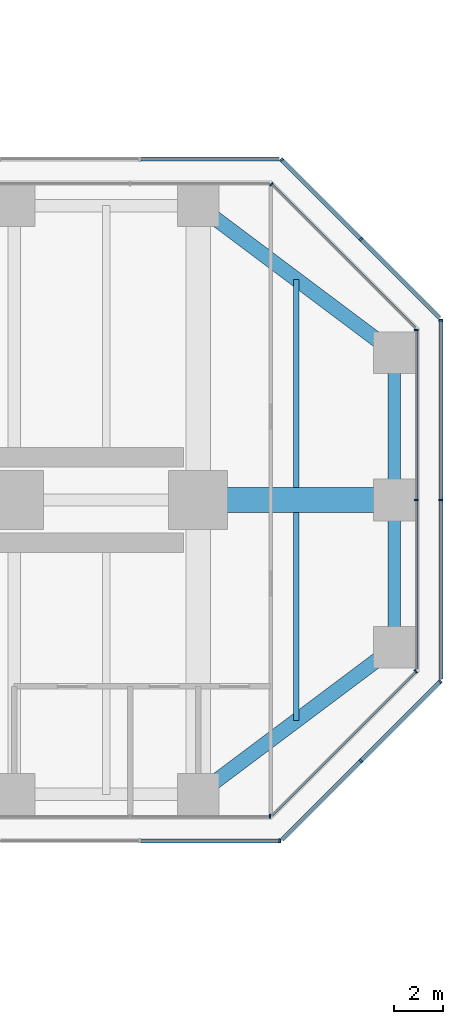
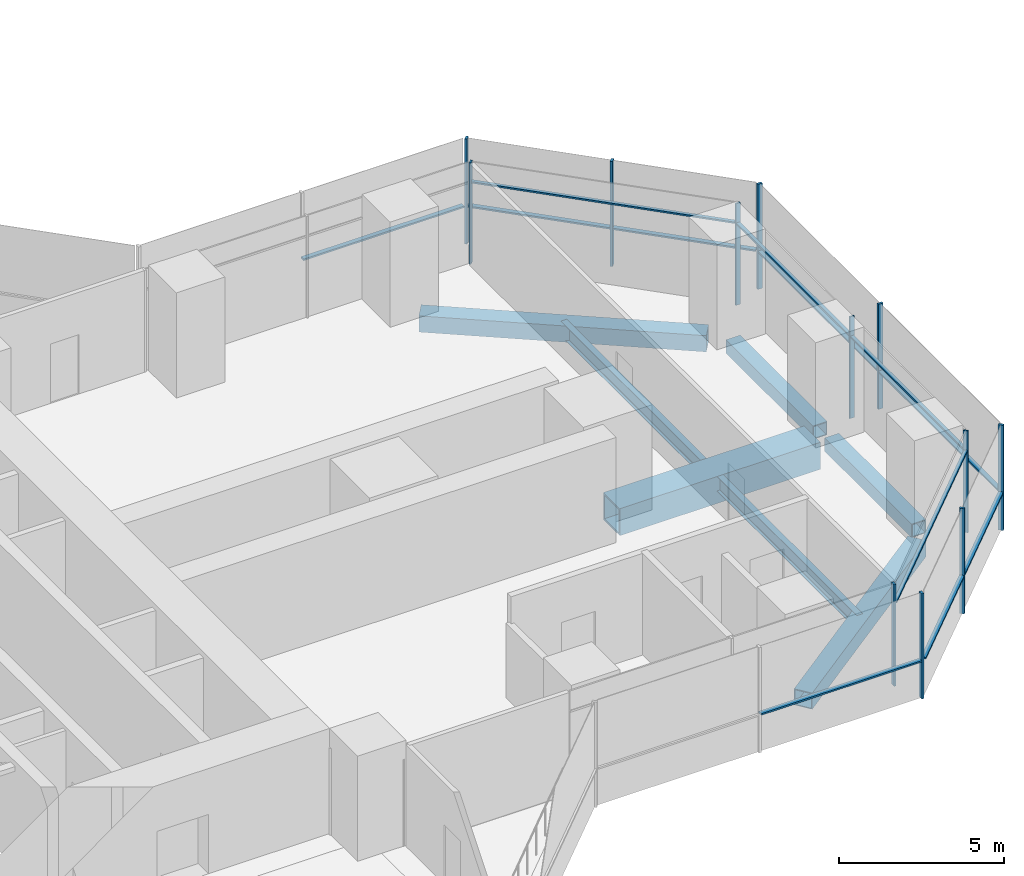
# One storey, part 12 of 22: 24 members, 7 beams, 9 elements without a shape of their own.
"""IFC4 building model written with IfcOpenShell, lengths in metres."""

import ifcopenshell
import ifcopenshell.guid

model = None  # the IFC model being written
_history = None  # IfcOwnerHistory: only IFC2X3 demands one
_inside = {}  # id of a spatial element -> (the spatial element, [elements in it])
_under = {}  # id of a project, library or spatial element -> (it, [spatial elements below it])
_declared = {}  # id of a project -> (the project, [libraries it declares])
_typed = {}  # id of a type object -> (the type object, [elements of that type])
_made_of = {}  # id of a material, layer set ... -> (it, [elements and type objects made of it])


def new_model(schema):
    """Start an empty IFC model of exactly this schema.

    Asked for "IFC4X3", IfcOpenShell would pick the latest addendum, in which some entities
    have other attributes; the version numbers below select the first issue.
    IFC2X3 requires an IfcOwnerHistory on every rooted entity: one is made here for all.
    """
    global model, _history
    if schema == "IFC4X3":
        model = ifcopenshell.file(schema_version=(4, 3, 0, 0))
    else:
        model = ifcopenshell.file(schema=schema)
    _inside.clear()
    _under.clear()
    _declared.clear()
    _typed.clear()
    _made_of.clear()
    _history = None
    if model.schema == "IFC2X3":
        org = make("IfcOrganization", Name="unknown")
        user = make(
            "IfcPersonAndOrganization",
            ThePerson=make("IfcPerson", FamilyName="unknown"),
            TheOrganization=org,
        )
        app = make(
            "IfcApplication",
            ApplicationDeveloper=org,
            Version="unknown",
            ApplicationFullName="unknown",
            ApplicationIdentifier="unknown",
        )
        _history = make(
            "IfcOwnerHistory",
            OwningUser=user,
            OwningApplication=app,
            ChangeAction="ADDED",
            CreationDate=0,
        )
    return model


def make(cls, **values):
    """One entity of the class cls with the attributes given. An attribute that is None is left unset."""
    return model.create_entity(
        cls, **{name: value for name, value in values.items() if value is not None}
    )


def rooted(cls, **values):
    """An entity with a GlobalId (a new one), such as an element, a storey or a relation."""
    return make(cls, GlobalId=ifcopenshell.guid.new(), OwnerHistory=_history, **values)


def si_unit(unit_type, name, prefix=None):
    """IfcSIUnit, for example si_unit("LENGTHUNIT", "METRE", prefix="MILLI")."""
    return make("IfcSIUnit", UnitType=unit_type, Prefix=prefix, Name=name)


def assignment(units):
    """IfcUnitAssignment: the units of a project."""
    return None if units is None else make("IfcUnitAssignment", Units=units)


def point(xyz):
    """IfcCartesianPoint."""
    return None if xyz is None else make("IfcCartesianPoint", Coordinates=xyz)


def direction(xyz):
    """IfcDirection."""
    return None if xyz is None else make("IfcDirection", DirectionRatios=xyz)


def frame(location, z_axis=None, x_axis=None):
    """IfcAxis2Placement3D, a coordinate frame: its origin and axes. An axis left out is left unset."""
    return make(
        "IfcAxis2Placement3D",
        Location=point(location),
        Axis=direction(z_axis),
        RefDirection=direction(x_axis),
    )


def frame_2d(location, x_axis=None):
    """IfcAxis2Placement2D, a coordinate frame in the plane: its origin and x axis."""
    return make(
        "IfcAxis2Placement2D", Location=point(location), RefDirection=direction(x_axis)
    )


def origin():
    """The frame at (0, 0, 0) with its axes left unset."""
    return frame((0.0, 0.0, 0.0))


def origin_2d():
    """The frame at (0, 0) in the plane with its x axis left unset."""
    return frame_2d((0.0, 0.0))


def place(relative_to, where):
    """IfcLocalPlacement: puts the frame where relative to a parent placement (None: the world)."""
    return make(
        "IfcLocalPlacement", PlacementRelTo=relative_to, RelativePlacement=where
    )


def context(
    kind, dimensions, precision=None, world=None, true_north=None, identifier=None
):
    """IfcGeometricRepresentationContext, for example the 3D "Model" context."""
    return make(
        "IfcGeometricRepresentationContext",
        ContextIdentifier=identifier,
        ContextType=kind,
        CoordinateSpaceDimension=dimensions,
        Precision=precision,
        WorldCoordinateSystem=world,
        TrueNorth=true_north,
    )


def subcontext(parent, identifier, kind, view, scale=None):
    """IfcGeometricRepresentationSubContext, for example "Body" below "Model"."""
    return make(
        "IfcGeometricRepresentationSubContext",
        ContextIdentifier=identifier,
        ContextType=kind,
        ParentContext=parent,
        TargetScale=scale,
        TargetView=view,
    )


def project(units=None, contexts=None):
    """IfcProject with its units and contexts."""
    return rooted(
        "IfcProject",
        Name="project",
        RepresentationContexts=contexts,
        UnitsInContext=assignment(units),
    )


def spatial(cls, under=None, at=None, **own):
    """A site, building, storey or space (cls), placed at a placement, below another one or the project."""
    s = rooted(cls, ObjectPlacement=at, **own)
    if under is not None:
        _under.setdefault(under.id(), (under, []))[1].append(s)
    return s


def profile(cls, at=None, kind="AREA", **sizes):
    """A parametric profile (cls). Its sizes go by their IFC names, for example OverallWidth=200.0."""
    return make(cls, ProfileType=kind, Position=at, **sizes)


def rectangle(**sizes):
    """IfcRectangleProfileDef."""
    return profile("IfcRectangleProfileDef", **sizes)


def hollow_rectangle(**sizes):
    """IfcRectangleHollowProfileDef."""
    return profile("IfcRectangleHollowProfileDef", **sizes)


def i_section(**sizes):
    """IfcIShapeProfileDef."""
    return profile("IfcIShapeProfileDef", **sizes)


def extrude(swept, where, along, depth):
    """IfcExtrudedAreaSolid: the profile swept, set in the frame where, extruded along a direction by depth."""
    return make(
        "IfcExtrudedAreaSolid",
        SweptArea=swept,
        Position=where,
        ExtrudedDirection=direction(along),
        Depth=depth,
    )


def shape(context_of_items, identifier, shape_type, items):
    """IfcShapeRepresentation: the items that make up one representation, for example the "Body"."""
    return make(
        "IfcShapeRepresentation",
        ContextOfItems=context_of_items,
        RepresentationIdentifier=identifier,
        RepresentationType=shape_type,
        Items=items,
    )


def material(Name=None, Category=None):
    """IfcMaterial."""
    return make("IfcMaterial", Name=Name, Category=Category)


def material_profile(
    of_material, cross_section, Name=None, Category=None, Priority=None
):
    """IfcMaterialProfile: a cross section and its material."""
    return make(
        "IfcMaterialProfile",
        Name=Name,
        Material=of_material,
        Profile=cross_section,
        Priority=Priority,
        Category=Category,
    )


def profile_set(profiles, Name=None, composite=None):
    """IfcMaterialProfileSet."""
    return make(
        "IfcMaterialProfileSet",
        Name=Name,
        MaterialProfiles=profiles,
        CompositeProfile=composite,
    )


def made_of(thing, what):
    """Note that an element or type object is made of a material, layer set ...; save() writes the relation."""
    if what is not None:
        _made_of.setdefault(what.id(), (what, []))[1].append(thing)
    return thing


def type_object(cls, material=None, **own):
    """A type object (cls), such as IfcWallType, which elements share."""
    return made_of(rooted(cls, **own), material)


def element(
    cls,
    number,
    at=None,
    inside=None,
    cuts=None,
    type_object=None,
    material=None,
    context=None,
    identifier="Body",
    shape_type=None,
    held_by="IfcProductDefinitionShape",
    body=None,
    shapes=None,
    **own,
):
    """One element of the class cls, such as IfcWall. Its Tag is "e" and its number.

    at: its placement. inside: the storey or other place that contains it. cuts: it is an
    opening in that element (IfcRelVoidsElement). A single representation is given by context,
    identifier, shape_type and body (its items); several are given by shapes. held_by: the class
    of the entity that holds the representations. save() writes the other relations.
    """
    e = rooted(cls, Tag="e%d" % number, ObjectPlacement=at, **own)
    if body is not None:
        shapes = [shape(context, identifier, shape_type, body)]
    if shapes is not None:
        e.Representation = make(held_by, Representations=shapes)
    if inside is not None:
        _inside.setdefault(inside.id(), (inside, []))[1].append(e)
    if cuts is not None:
        rooted(
            "IfcRelVoidsElement", RelatingBuildingElement=cuts, RelatedOpeningElement=e
        )
    if type_object is not None:
        _typed.setdefault(type_object.id(), (type_object, []))[1].append(e)
    return made_of(e, material)


def aggregate(whole, parts):
    """IfcRelAggregates: a whole, such as a stair, and the parts it consists of."""
    return rooted("IfcRelAggregates", RelatingObject=whole, RelatedObjects=parts)


def save(model, path):
    """Write the relations noted so far, then the file.

    IfcRelAggregates (storeys below a building ...), IfcRelContainedInSpatialStructure (elements
    in a storey), IfcRelDefinesByType, IfcRelAssociatesMaterial and IfcRelDeclares: one each for
    every whole, place, type object, material and project.
    """
    for whole, parts in _under.values():
        aggregate(whole, parts)
    for where, things in _inside.values():
        rooted(
            "IfcRelContainedInSpatialStructure",
            RelatedElements=things,
            RelatingStructure=where,
        )
    for kind, things in _typed.values():
        rooted("IfcRelDefinesByType", RelatedObjects=things, RelatingType=kind)
    for what, things in _made_of.values():
        rooted("IfcRelAssociatesMaterial", RelatedObjects=things, RelatingMaterial=what)
    for by, libraries in _declared.values():
        rooted("IfcRelDeclares", RelatingContext=by, RelatedDefinitions=libraries)
    model.write(path)


model = new_model("IFC4")

# Units and contexts
model_context = context("Model", 3, precision=1e-05, world=origin(), true_north=direction((0.0, 1.0)))
body_context = subcontext(model_context, "Body", "Model", "MODEL_VIEW")
ifc_project = project(units=[si_unit("LENGTHUNIT", "METRE"), si_unit("AREAUNIT", "SQUARE_METRE"), si_unit("VOLUMEUNIT", "CUBIC_METRE"), si_unit("PLANEANGLEUNIT", "RADIAN"), si_unit("MASSUNIT", "GRAM", prefix="KILO")], contexts=[model_context])

# Site, building, storey
site_placement = place(None, origin())
site = spatial("IfcSite", under=ifc_project, at=site_placement, CompositionType="ELEMENT")
building_placement = place(site_placement, origin())
building = spatial("IfcBuilding", under=site, at=building_placement, Name="Mizan Broadcast Tower", CompositionType="ELEMENT")
storey_placement = place(building_placement, frame((0.0, 0.0, 47.39990234375)))
storey = spatial("IfcBuildingStorey", under=building, at=storey_placement, Name="L08", CompositionType="ELEMENT", Elevation=47.39990234375)

# Beams
ifc_material_1 = material(Name="Steel S355", Category="steel")
ifc_material_profile_1 = material_profile(ifc_material_1, hollow_rectangle(XDim=0.5, YDim=0.5, WallThickness=0.030029296875, at=origin_2d()), Name="BOX 500x500x30")
ifc_profile_set_1 = profile_set([ifc_material_profile_1], Name="Steel S355")
beam_type_1 = type_object("IfcBeamType", Name="EDGE BEAM BOX 500x500x30", PredefinedType="SPANDREL", material=ifc_profile_set_1)
for number, where, z_axis, x_axis, name in (
    (1, (35.0, -5.639892578125, -0.3798828125), (0.0, 1.0, 0.0), (-1.0, 0.0, 0.0), "Edge beam BOX 500x500x30 L08 east arm"),
    (2, (35.0, 5.639892578125, -0.3798828125), (0.0, -1.0, 0.0), (1.0, 0.0, 0.0), "Edge beam BOX 500x500x30 L08 east arm"),
):
    element("IfcBeam", number, at=place(storey_placement, frame(where, z_axis=z_axis, x_axis=x_axis)), inside=storey, type_object=beam_type_1, Name=name, PredefinedType="SPANDREL", context=body_context, shape_type="SweptSolid", body=[
        extrude(hollow_rectangle(XDim=0.5, YDim=0.5, WallThickness=0.030029296875, at=origin_2d()), origin(), (0.0, 0.0, 1.0), 5.27978515625),
    ])
ifc_material_2 = material(Name="Steel S355", Category="steel")
ifc_material_profile_2 = material_profile(ifc_material_2, hollow_rectangle(XDim=0.60009765625, YDim=0.60009765625, WallThickness=0.030029296875, at=origin_2d()), Name="BOX 600x600x30")
ifc_profile_set_2 = profile_set([ifc_material_profile_2], Name="Steel S355")
beam_type_2 = type_object("IfcBeamType", Name="EDGE BEAM BOX 600x600x30", PredefinedType="SPANDREL", material=ifc_profile_set_2)
for number, where, z_axis, x_axis, name in (
    (3, (27.47998046875, -11.639892578125, -0.429931640625), (0.800013316712, 0.599982243973, 0.0), (-0.599982243973, 0.800013316712, 0.0), "Edge beam BOX 600x600x30 L08 east arm"),
    (4, (27.47998046875, 11.639892578125, -0.429931640625), (0.800013316712, -0.599982243973, 0.0), (0.599982243973, 0.800013316712, 0.0), "Edge beam BOX 600x600x30 L08 east arm"),
):
    element("IfcBeam", number, at=place(storey_placement, frame(where, z_axis=z_axis, x_axis=x_axis)), inside=storey, type_object=beam_type_2, Name=name, PredefinedType="SPANDREL", context=body_context, shape_type="SweptSolid", body=[
        extrude(hollow_rectangle(XDim=0.60009765625, YDim=0.60009765625, WallThickness=0.030029296875, at=origin_2d()), origin(), (0.0, 0.0, 1.0), 8.7998046875),
    ])
ifc_material_3 = material(Name="Steel S460", Category="steel")
ifc_material_profile_3 = material_profile(ifc_material_3, hollow_rectangle(XDim=1.0, YDim=1.0, WallThickness=0.06005859375, at=origin_2d()), Name="BOX 1000x1000x60")
ifc_profile_set_3 = profile_set([ifc_material_profile_3], Name="Steel S460")
beam_type_3 = type_object("IfcBeamType", Name="GIRDER BOX 1000x1000x60", PredefinedType="BEAM", material=ifc_profile_set_3)
beam_placement = place(storey_placement, frame((27.47998046875, 0.0, -0.6298828125), z_axis=(1.0, 0.0, 0.0), x_axis=(0.0, 1.0, 0.0)))
element("IfcBeam", 5, at=beam_placement, inside=storey, type_object=beam_type_3, Name="Girder BOX 1000x1000x60 L08 east arm", PredefinedType="BEAM", context=body_context, shape_type="SweptSolid", body=[
    extrude(hollow_rectangle(XDim=1.0, YDim=1.0, WallThickness=0.06005859375, at=origin_2d()), origin(), (0.0, 0.0, 1.0), 7.0400390625),
])

# Curtain wall, member
ifc_material_4 = material(Name="Aluminium framed glazing", Category="aluminium")
curtain_wall_type_1 = type_object("IfcCurtainWallType", Name="INNER SKIN LOW ZONE", PredefinedType="USERDEFINED", material=ifc_material_4)
curtain_wall_1_placement = place(storey_placement, origin())
curtain_wall_1 = element("IfcCurtainWall", 6, at=curtain_wall_1_placement, inside=storey, type_object=curtain_wall_type_1, Name="Inner skin low zone L08 E side", ObjectType="INNER SKIN LOW ZONE", PredefinedType="USERDEFINED")
ifc_material_5 = material(Name="Aluminium, pale anodised", Category="aluminium")
ifc_material_profile_4 = material_profile(ifc_material_5, rectangle(XDim=0.159912109375, YDim=0.06005859375, at=origin_2d()), Name="MULLION 160x60")
ifc_profile_set_4 = profile_set([ifc_material_profile_4], Name="Aluminium, pale anodised")
member_type_1 = type_object("IfcMemberType", Name="INNER SKIN MULLION 60x160", PredefinedType="MULLION", material=ifc_profile_set_4)
member_1_placement = place(storey_placement, frame((29.928466796875, -12.89990234375, 0.0), z_axis=(0.0, 0.0, 1.0), x_axis=(0.0, 1.0, 0.0)))
member_1 = element("IfcMember", 7, at=member_1_placement, type_object=member_type_1, Name="Inner skin low zone L08 E side mullion 3", PredefinedType="MULLION", context=body_context, shape_type="SweptSolid", body=[
    extrude(rectangle(XDim=0.159912109375, YDim=0.06005859375, at=origin_2d()), origin(), (0.0, 0.0, 1.0), 3.77001953125),
])
aggregate(curtain_wall_1, [member_1])

curtain_wall_2_placement = place(storey_placement, origin())
curtain_wall_2 = element("IfcCurtainWall", 8, at=curtain_wall_2_placement, inside=storey, type_object=curtain_wall_type_1, Name="Inner skin low zone L08 E chamfer", ObjectType="INNER SKIN LOW ZONE", PredefinedType="USERDEFINED")
member_2_placement = place(storey_placement, frame((35.87890625, -6.979736328125, 0.0), z_axis=(0.0, 0.0, 1.0), x_axis=(-0.707106781187, 0.707106781187, 0.0)))
member_2 = element("IfcMember", 9, at=member_2_placement, type_object=member_type_1, Name="Inner skin low zone L08 E chamfer mullion 2", PredefinedType="MULLION", context=body_context, shape_type="SweptSolid", body=[
    extrude(rectangle(XDim=0.159912109375, YDim=0.06005859375, at=origin_2d()), origin(), (0.0, 0.0, 1.0), 3.77001953125),
])

# Curtain wall, members
curtain_wall_3_placement = place(storey_placement, origin())
curtain_wall_3 = element("IfcCurtainWall", 10, at=curtain_wall_3_placement, inside=storey, type_object=curtain_wall_type_1, Name="Inner skin low zone L08 E end", ObjectType="INNER SKIN LOW ZONE", PredefinedType="USERDEFINED")
member_3_placement = place(storey_placement, frame((35.89990234375, 0.0, 0.0), z_axis=(0.0, 0.0, 1.0), x_axis=(-1.0, 0.0, 0.0)))
member_3 = element("IfcMember", 11, at=member_3_placement, type_object=member_type_1, Name="Inner skin low zone L08 E end mullion 2", PredefinedType="MULLION", context=body_context, shape_type="SweptSolid", body=[
    extrude(rectangle(XDim=0.159912109375, YDim=0.06005859375, at=origin_2d()), origin(), (0.0, 0.0, 1.0), 3.77001953125),
])
member_4_placement = place(storey_placement, frame((35.89990234375, 6.928466796875, 0.0), z_axis=(0.0, 0.0, 1.0), x_axis=(-1.0, 0.0, 0.0)))
member_4 = element("IfcMember", 12, at=member_4_placement, type_object=member_type_1, Name="Inner skin low zone L08 E end mullion 3", PredefinedType="MULLION", context=body_context, shape_type="SweptSolid", body=[
    extrude(rectangle(XDim=0.159912109375, YDim=0.06005859375, at=origin_2d()), origin(), (0.0, 0.0, 1.0), 3.77001953125),
])

# Curtain wall, member
curtain_wall_4_placement = place(storey_placement, origin())
curtain_wall_4 = element("IfcCurtainWall", 13, at=curtain_wall_4_placement, inside=storey, type_object=curtain_wall_type_1, Name="Inner skin low zone L08 E chamfer", ObjectType="INNER SKIN LOW ZONE", PredefinedType="USERDEFINED")
member_5_placement = place(storey_placement, frame((29.979736328125, 12.87890625, 0.0), z_axis=(0.0, 0.0, 1.0), x_axis=(-0.707106781187, -0.707106781187, 0.0)))
member_5 = element("IfcMember", 14, at=member_5_placement, type_object=member_type_1, Name="Inner skin low zone L08 E chamfer mullion 2", PredefinedType="MULLION", context=body_context, shape_type="SweptSolid", body=[
    extrude(rectangle(XDim=0.159912109375, YDim=0.06005859375, at=origin_2d()), origin(), (0.0, 0.0, 1.0), 3.77001953125),
])

# Member
ifc_material_6 = material(Name="Aluminium, pale anodised", Category="aluminium")
ifc_material_profile_5 = material_profile(ifc_material_6, rectangle(XDim=0.1201171875, YDim=0.06005859375, at=origin_2d()), Name="TRANSOM 120x60")
ifc_profile_set_5 = profile_set([ifc_material_profile_5], Name="Aluminium, pale anodised")
member_type_2 = type_object("IfcMemberType", Name="INNER SKIN TRANSOM 60x120", PredefinedType="USERDEFINED", material=ifc_profile_set_5)
member_6_placement = place(storey_placement, frame((30.0009765625, -12.857666015625, 3.030029296875), z_axis=(0.707106781187, 0.707106781187, 0.0), x_axis=(-0.707106781187, 0.707106781187, 0.0)))
member_6 = element("IfcMember", 15, at=member_6_placement, type_object=member_type_2, Name="Inner skin low zone L08 E chamfer transom 1.1", ObjectType="TRANSOM", PredefinedType="USERDEFINED", context=body_context, shape_type="SweptSolid", body=[
    extrude(rectangle(XDim=0.1201171875, YDim=0.06005859375, at=origin_2d()), origin(), (0.0, 0.0, 1.0), 8.28271484375),
])

aggregate(curtain_wall_2, [member_2, member_6])

member_7_placement = place(storey_placement, frame((35.89990234375, -6.898681640625, 3.030029296875), z_axis=(0.0, 1.0, 0.0), x_axis=(-1.0, 0.0, 0.0)))
member_7 = element("IfcMember", 16, at=member_7_placement, type_object=member_type_2, Name="Inner skin low zone L08 E end transom 1.1", ObjectType="TRANSOM", PredefinedType="USERDEFINED", context=body_context, shape_type="SweptSolid", body=[
    extrude(rectangle(XDim=0.1201171875, YDim=0.06005859375, at=origin_2d()), origin(), (0.0, 0.0, 1.0), 6.86865234375),
])

member_8_placement = place(storey_placement, frame((35.89990234375, 0.030029296875, 3.030029296875), z_axis=(0.0, 1.0, 0.0), x_axis=(-1.0, 0.0, 0.0)))
member_8 = element("IfcMember", 17, at=member_8_placement, type_object=member_type_2, Name="Inner skin low zone L08 E end transom 2.1", ObjectType="TRANSOM", PredefinedType="USERDEFINED", context=body_context, shape_type="SweptSolid", body=[
    extrude(rectangle(XDim=0.1201171875, YDim=0.06005859375, at=origin_2d()), origin(), (0.0, 0.0, 1.0), 6.86865234375),
])

aggregate(curtain_wall_3, [member_3, member_4, member_7, member_8])

member_9_placement = place(storey_placement, frame((35.857666015625, 7.0009765625, 3.030029296875), z_axis=(-0.707106781187, 0.707106781187, 0.0), x_axis=(-0.707106781187, -0.707106781187, 0.0)))
member_9 = element("IfcMember", 18, at=member_9_placement, type_object=member_type_2, Name="Inner skin low zone L08 E chamfer transom 1.1", ObjectType="TRANSOM", PredefinedType="USERDEFINED", context=body_context, shape_type="SweptSolid", body=[
    extrude(rectangle(XDim=0.1201171875, YDim=0.06005859375, at=origin_2d()), origin(), (0.0, 0.0, 1.0), 8.28271484375),
])

aggregate(curtain_wall_4, [member_5, member_9])

# Curtain wall, members
ifc_material_7 = material(Name="Aluminium framed glazing", Category="aluminium")
curtain_wall_type_2 = type_object("IfcCurtainWallType", Name="OUTER SKIN", PredefinedType="USERDEFINED", material=ifc_material_7)
curtain_wall_5_placement = place(storey_placement, origin())
curtain_wall_5 = element("IfcCurtainWall", 19, at=curtain_wall_5_placement, inside=storey, type_object=curtain_wall_type_2, Name="Outer skin L08 E chamfer", ObjectType="OUTER SKIN", PredefinedType="USERDEFINED")
ifc_material_8 = material(Name="Aluminium, pale anodised", Category="aluminium")
ifc_material_profile_6 = material_profile(ifc_material_8, rectangle(XDim=0.159912109375, YDim=0.080078125, at=origin_2d()), Name="MULLION 160x80")
ifc_profile_set_6 = profile_set([ifc_material_profile_6], Name="Aluminium, pale anodised")
member_type_3 = type_object("IfcMemberType", Name="OUTER SKIN MULLION 80x160", PredefinedType="MULLION", material=ifc_profile_set_6)
member_10_placement = place(storey_placement, frame((33.636474609375, -10.636474609375, 0.0), z_axis=(0.0, 0.0, 1.0), x_axis=(-0.707106781187, 0.707106781187, 0.0)))
member_10 = element("IfcMember", 20, at=member_10_placement, type_object=member_type_3, Name="Outer skin L08 E chamfer mullion 2", PredefinedType="MULLION", context=body_context, shape_type="SweptSolid", body=[
    extrude(rectangle(XDim=0.159912109375, YDim=0.080078125, at=origin_2d()), origin(), (0.0, 0.0, 1.0), 3.900146484375),
])
member_11_placement = place(storey_placement, frame((36.871826171875, -7.401123046875, 0.0), z_axis=(0.0, 0.0, 1.0), x_axis=(-0.707106781187, 0.707106781187, 0.0)))
member_11 = element("IfcMember", 21, at=member_11_placement, type_object=member_type_3, Name="Outer skin L08 E chamfer mullion 3", PredefinedType="MULLION", context=body_context, shape_type="SweptSolid", body=[
    extrude(rectangle(XDim=0.159912109375, YDim=0.080078125, at=origin_2d()), origin(), (0.0, 0.0, 1.0), 3.900146484375),
])

curtain_wall_6_placement = place(storey_placement, origin())
curtain_wall_6 = element("IfcCurtainWall", 22, at=curtain_wall_6_placement, inside=storey, type_object=curtain_wall_type_2, Name="Outer skin L08 E end", ObjectType="OUTER SKIN", PredefinedType="USERDEFINED")
member_12_placement = place(storey_placement, frame((36.89990234375, 0.0, 0.0), z_axis=(0.0, 0.0, 1.0), x_axis=(-1.0, 0.0, 0.0)))
member_12 = element("IfcMember", 23, at=member_12_placement, type_object=member_type_3, Name="Outer skin L08 E end mullion 2", PredefinedType="MULLION", context=body_context, shape_type="SweptSolid", body=[
    extrude(rectangle(XDim=0.159912109375, YDim=0.080078125, at=origin_2d()), origin(), (0.0, 0.0, 1.0), 3.900146484375),
])
member_13_placement = place(storey_placement, frame((36.89990234375, 7.332763671875, 0.0), z_axis=(0.0, 0.0, 1.0), x_axis=(-1.0, 0.0, 0.0)))
member_13 = element("IfcMember", 24, at=member_13_placement, type_object=member_type_3, Name="Outer skin L08 E end mullion 3", PredefinedType="MULLION", context=body_context, shape_type="SweptSolid", body=[
    extrude(rectangle(XDim=0.159912109375, YDim=0.080078125, at=origin_2d()), origin(), (0.0, 0.0, 1.0), 3.900146484375),
])

curtain_wall_7_placement = place(storey_placement, origin())
curtain_wall_7 = element("IfcCurtainWall", 25, at=curtain_wall_7_placement, inside=storey, type_object=curtain_wall_type_2, Name="Outer skin L08 E chamfer", ObjectType="OUTER SKIN", PredefinedType="USERDEFINED")
member_14_placement = place(storey_placement, frame((33.636474609375, 10.636474609375, 0.0), z_axis=(0.0, 0.0, 1.0), x_axis=(-0.707106781187, -0.707106781187, 0.0)))
member_14 = element("IfcMember", 26, at=member_14_placement, type_object=member_type_3, Name="Outer skin L08 E chamfer mullion 2", PredefinedType="MULLION", context=body_context, shape_type="SweptSolid", body=[
    extrude(rectangle(XDim=0.159912109375, YDim=0.080078125, at=origin_2d()), origin(), (0.0, 0.0, 1.0), 3.900146484375),
])
member_15_placement = place(storey_placement, frame((30.401123046875, 13.871826171875, 0.0), z_axis=(0.0, 0.0, 1.0), x_axis=(-0.707106781187, -0.707106781187, 0.0)))
member_15 = element("IfcMember", 27, at=member_15_placement, type_object=member_type_3, Name="Outer skin L08 E chamfer mullion 3", PredefinedType="MULLION", context=body_context, shape_type="SweptSolid", body=[
    extrude(rectangle(XDim=0.159912109375, YDim=0.080078125, at=origin_2d()), origin(), (0.0, 0.0, 1.0), 3.900146484375),
])

# Curtain wall, member
curtain_wall_8_placement = place(storey_placement, origin())
curtain_wall_8 = element("IfcCurtainWall", 28, at=curtain_wall_8_placement, inside=storey, type_object=curtain_wall_type_2, Name="Outer skin L08 E side", ObjectType="OUTER SKIN", PredefinedType="USERDEFINED")
member_16_placement = place(storey_placement, frame((30.332763671875, -13.89990234375, 0.0), z_axis=(0.0, 0.0, 1.0), x_axis=(0.0, 1.0, 0.0)))
member_16 = element("IfcMember", 29, at=member_16_placement, type_object=member_type_3, Name="Outer skin L08 E side mullion 3", PredefinedType="MULLION", context=body_context, shape_type="SweptSolid", body=[
    extrude(rectangle(XDim=0.159912109375, YDim=0.080078125, at=origin_2d()), origin(), (0.0, 0.0, 1.0), 3.900146484375),
])

# Member
ifc_material_9 = material(Name="Aluminium, pale anodised", Category="aluminium")
ifc_material_profile_7 = material_profile(ifc_material_9, rectangle(XDim=0.159912109375, YDim=0.06005859375, at=origin_2d()), Name="TRANSOM 160x60")
ifc_profile_set_7 = profile_set([ifc_material_profile_7], Name="Aluminium, pale anodised")
member_type_4 = type_object("IfcMemberType", Name="OUTER SKIN TRANSOM 60x160", PredefinedType="USERDEFINED", material=ifc_profile_set_7)
member_17_placement = place(storey_placement, frame((30.429443359375, -13.843505859375, 1.400146484375), z_axis=(0.707106781187, 0.707106781187, 0.0), x_axis=(-0.707106781187, 0.707106781187, 0.0)))
member_17 = element("IfcMember", 30, at=member_17_placement, type_object=member_type_4, Name="Outer skin L08 E chamfer transom 1.1", ObjectType="TRANSOM", PredefinedType="USERDEFINED", context=body_context, shape_type="SweptSolid", body=[
    extrude(rectangle(XDim=0.159912109375, YDim=0.06005859375, at=origin_2d()), origin(), (0.0, 0.0, 1.0), 4.495361328125),
])

member_18_placement = place(storey_placement, frame((33.664794921875, -10.608154296875, 1.400146484375), z_axis=(0.707106781187, 0.707106781187, 0.0), x_axis=(-0.707106781187, 0.707106781187, 0.0)))
member_18 = element("IfcMember", 31, at=member_18_placement, type_object=member_type_4, Name="Outer skin L08 E chamfer transom 2.1", ObjectType="TRANSOM", PredefinedType="USERDEFINED", context=body_context, shape_type="SweptSolid", body=[
    extrude(rectangle(XDim=0.159912109375, YDim=0.06005859375, at=origin_2d()), origin(), (0.0, 0.0, 1.0), 4.495361328125),
])

aggregate(curtain_wall_5, [member_10, member_11, member_17, member_18])

member_19_placement = place(storey_placement, frame((36.89990234375, -7.292724609375, 1.400146484375), z_axis=(0.0, 1.0, 0.0), x_axis=(-1.0, 0.0, 0.0)))
member_19 = element("IfcMember", 32, at=member_19_placement, type_object=member_type_4, Name="Outer skin L08 E end transom 1.1", ObjectType="TRANSOM", PredefinedType="USERDEFINED", context=body_context, shape_type="SweptSolid", body=[
    extrude(rectangle(XDim=0.159912109375, YDim=0.06005859375, at=origin_2d()), origin(), (0.0, 0.0, 1.0), 7.252685546875),
])

member_20_placement = place(storey_placement, frame((36.89990234375, 0.0400390625, 1.400146484375), z_axis=(0.0, 1.0, 0.0), x_axis=(-1.0, 0.0, 0.0)))
member_20 = element("IfcMember", 33, at=member_20_placement, type_object=member_type_4, Name="Outer skin L08 E end transom 2.1", ObjectType="TRANSOM", PredefinedType="USERDEFINED", context=body_context, shape_type="SweptSolid", body=[
    extrude(rectangle(XDim=0.159912109375, YDim=0.06005859375, at=origin_2d()), origin(), (0.0, 0.0, 1.0), 7.252685546875),
])

aggregate(curtain_wall_6, [member_12, member_13, member_19, member_20])

member_21_placement = place(storey_placement, frame((36.843505859375, 7.429443359375, 1.400146484375), z_axis=(-0.707106781187, 0.707106781187, 0.0), x_axis=(-0.707106781187, -0.707106781187, 0.0)))
member_21 = element("IfcMember", 34, at=member_21_placement, type_object=member_type_4, Name="Outer skin L08 E chamfer transom 1.1", ObjectType="TRANSOM", PredefinedType="USERDEFINED", context=body_context, shape_type="SweptSolid", body=[
    extrude(rectangle(XDim=0.159912109375, YDim=0.06005859375, at=origin_2d()), origin(), (0.0, 0.0, 1.0), 4.495361328125),
])

member_22_placement = place(storey_placement, frame((33.608154296875, 10.664794921875, 1.400146484375), z_axis=(-0.707106781187, 0.707106781187, 0.0), x_axis=(-0.707106781187, -0.707106781187, 0.0)))
member_22 = element("IfcMember", 35, at=member_22_placement, type_object=member_type_4, Name="Outer skin L08 E chamfer transom 2.1", ObjectType="TRANSOM", PredefinedType="USERDEFINED", context=body_context, shape_type="SweptSolid", body=[
    extrude(rectangle(XDim=0.159912109375, YDim=0.06005859375, at=origin_2d()), origin(), (0.0, 0.0, 1.0), 4.495361328125),
])

aggregate(curtain_wall_7, [member_14, member_15, member_21, member_22])

# Curtain wall, member
curtain_wall_9_placement = place(storey_placement, origin())
curtain_wall_9 = element("IfcCurtainWall", 36, at=curtain_wall_9_placement, inside=storey, type_object=curtain_wall_type_2, Name="Outer skin L08 E side", ObjectType="OUTER SKIN", PredefinedType="USERDEFINED")
member_23_placement = place(storey_placement, frame((30.292724609375, 13.89990234375, 1.400146484375), z_axis=(-1.0, 0.0, 0.0), x_axis=(0.0, -1.0, 0.0)))
member_23 = element("IfcMember", 37, at=member_23_placement, type_object=member_type_4, Name="Outer skin L08 E side transom 1.1", ObjectType="TRANSOM", PredefinedType="USERDEFINED", context=body_context, shape_type="SweptSolid", body=[
    extrude(rectangle(XDim=0.159912109375, YDim=0.06005859375, at=origin_2d()), origin(), (0.0, 0.0, 1.0), 5.6298828125),
])
aggregate(curtain_wall_9, [member_23])

# Member
member_24_placement = place(storey_placement, frame((24.662841796875, -13.89990234375, 1.400146484375), z_axis=(1.0, 0.0, 0.0), x_axis=(0.0, 1.0, 0.0)))
member_24 = element("IfcMember", 38, at=member_24_placement, type_object=member_type_4, Name="Outer skin L08 E side transom 2.1", ObjectType="TRANSOM", PredefinedType="USERDEFINED", context=body_context, shape_type="SweptSolid", body=[
    extrude(rectangle(XDim=0.159912109375, YDim=0.06005859375, at=origin_2d()), origin(), (0.0, 0.0, 1.0), 5.6298828125),
])

aggregate(curtain_wall_8, [member_16, member_24])

# Beams
ifc_material_10 = material(Name="Steel S355", Category="steel")
ifc_material_profile_8 = material_profile(ifc_material_10, i_section(OverallWidth=0.2099609375, OverallDepth=0.550048828125, WebThickness=0.010986328125, FlangeThickness=0.01708984375, FilletRadius=0.02392578125, at=origin_2d()), Name="IPE 550")
ifc_profile_set_8 = profile_set([ifc_material_profile_8], Name="Steel S355")
beam_type_4 = type_object("IfcBeamType", Name="SECONDARY BEAM IPE 550", PredefinedType="JOIST", material=ifc_profile_set_8)
for number, where, z_axis, x_axis, name in (
    (39, (31.0, -9.0, -0.40478515625), (0.0, 1.0, 0.0), (-1.0, 0.0, 0.0), "Secondary beam IPE 550 L08 east arm"),
    (40, (31.0, 9.0, -0.40478515625), (0.0, -1.0, 0.0), (1.0, 0.0, 0.0), "Secondary beam IPE 550 L08 east arm"),
):
    element("IfcBeam", number, at=place(storey_placement, frame(where, z_axis=z_axis, x_axis=x_axis)), inside=storey, type_object=beam_type_4, Name=name, PredefinedType="JOIST", context=body_context, shape_type="SweptSolid", body=[
        extrude(i_section(OverallWidth=0.2099609375, OverallDepth=0.550048828125, WebThickness=0.010986328125, FlangeThickness=0.01708984375, FilletRadius=0.02392578125, at=origin_2d()), origin(), (0.0, 0.0, 1.0), 8.5),
    ])

save(model, "model.ifc")
